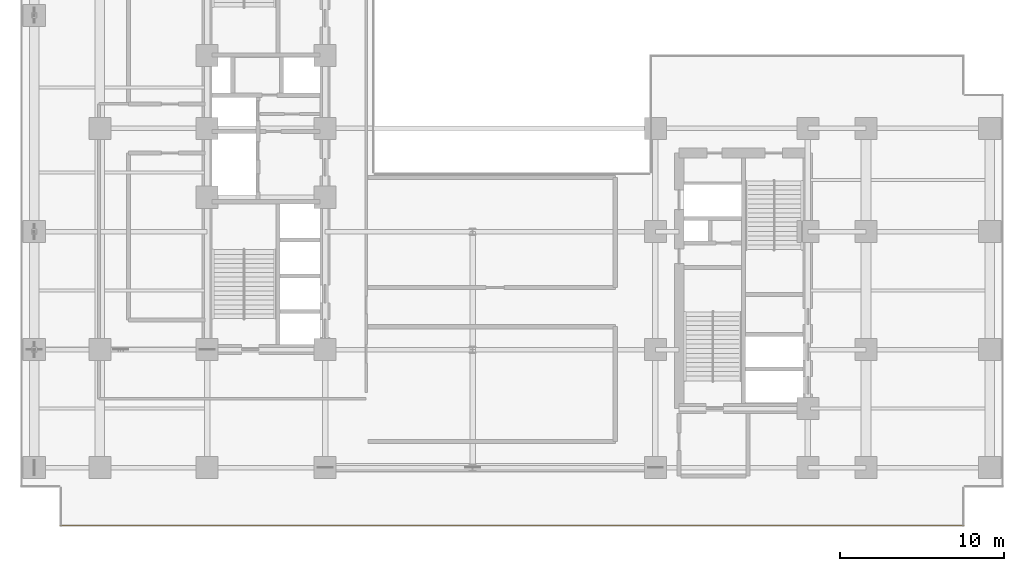
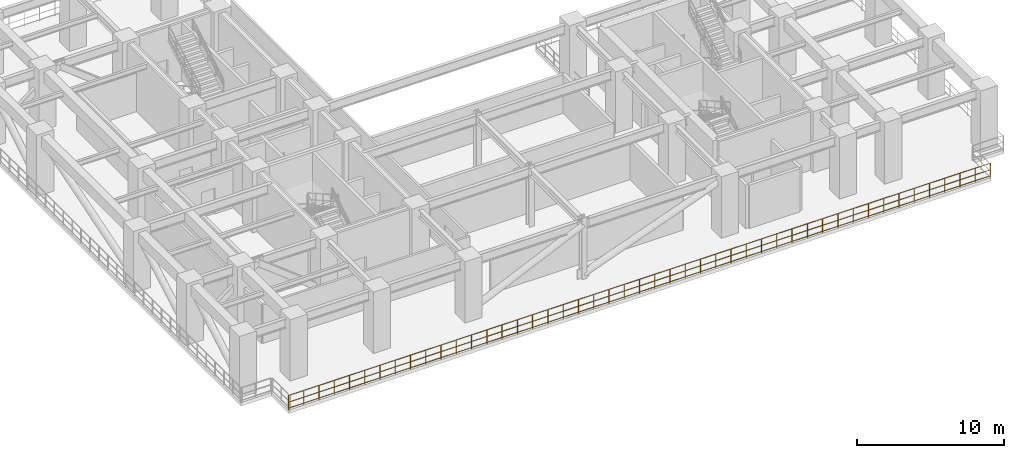
# One storey, part 9 of 15: 1 railing.
"""IFC4 building model written with IfcOpenShell, lengths in metres."""

from ifc_helpers import new_model, entity, si_unit, converted_unit, direction, frame, origin_with_axes, origin_2d_with_axis, place, context, subcontext, project, spatial, rectangle, circle, extrude, material, type_object, element, save


model = new_model("IFC4")

# Units and contexts
model_context = context("Model", 3, precision=1e-05, world=origin_with_axes(), true_north=direction((0.0, 1.0)))
body_context = subcontext(model_context, "Body", "Model", "MODEL_VIEW")
ifc_project = project(units=[si_unit("LENGTHUNIT", "METRE"), si_unit("AREAUNIT", "SQUARE_METRE"), si_unit("VOLUMEUNIT", "CUBIC_METRE"), converted_unit("PLANEANGLEUNIT", "DEGREE", entity("IfcPlaneAngleMeasure", 0.017453292519943295), si_unit("PLANEANGLEUNIT", "RADIAN"), dimensions=[0, 0, 0, 0, 0, 0, 0]), si_unit("MASSUNIT", "GRAM", prefix="KILO"), si_unit("THERMODYNAMICTEMPERATUREUNIT", "KELVIN")], contexts=[model_context])

# Site, building, storey
site_placement = place(None, origin_with_axes())
site = spatial("IfcSite", under=ifc_project, at=site_placement, CompositionType="ELEMENT")
building_placement = place(site_placement, origin_with_axes())
building = spatial("IfcBuilding", under=site, at=building_placement, Name="Varnlund Millrace Tower", CompositionType="ELEMENT")
storey_placement = place(building_placement, frame((0.0, 0.0, 79.5), z_axis=(0.0, 0.0, 1.0), x_axis=(1.0, 0.0, 0.0)))
storey = spatial("IfcBuildingStorey", under=building, at=storey_placement, Name="L19", CompositionType="ELEMENT", Elevation=79.5)

# Railing
ifc_material = material(Name="Architectural bronze balustrade guard", Category="aluminium")
railing_type = type_object("IfcRailingType", Name="Type-Guard-Perimeter-1150", PredefinedType="BALUSTRADE", material=ifc_material)
railing_placement = place(storey_placement, frame((0.0, 0.0, -79.5), z_axis=(0.0, 0.0, 1.0), x_axis=(1.0, 0.0, 0.0)))
element("IfcRailing", 1, at=railing_placement, inside=storey, type_object=railing_type, Name="Type-Guard-Perimeter-1150", PredefinedType="BALUSTRADE", context=body_context, shape_type="SweptSolid", body=[
    extrude(circle(Radius=0.024, at=origin_2d_with_axis()), frame((2.4, 0.08, 80.65), z_axis=(1.0, 0.0, 0.0), x_axis=(0.0, 1.0, 0.0)), (0.0, 0.0, 1.0), 55.2),
    extrude(circle(Radius=0.024, at=origin_2d_with_axis()), frame((2.4, 0.08, 79.6), z_axis=(1.0, 0.0, 0.0), x_axis=(0.0, 1.0, 0.0)), (0.0, 0.0, 1.0), 55.2),
    extrude(circle(Radius=0.024, at=origin_2d_with_axis()), frame((2.4, 0.08, 80.098), z_axis=(1.0, 0.0, 0.0), x_axis=(0.0, 1.0, 0.0)), (0.0, 0.0, 1.0), 55.2),
    extrude(rectangle(XDim=0.04, YDim=0.04, at=origin_2d_with_axis()), frame((2.4, 0.08, 79.46), z_axis=(0.0, 0.0, 1.0), x_axis=(1.0, 0.0, 0.0)), (0.0, 0.0, 1.0), 1.19),
    extrude(rectangle(XDim=0.04, YDim=0.04, at=origin_2d_with_axis()), frame((3.6, 0.08, 79.46), z_axis=(0.0, 0.0, 1.0), x_axis=(1.0, 0.0, 0.0)), (0.0, 0.0, 1.0), 1.19),
    extrude(rectangle(XDim=0.04, YDim=0.04, at=origin_2d_with_axis()), frame((4.8, 0.08, 79.46), z_axis=(0.0, 0.0, 1.0), x_axis=(1.0, 0.0, 0.0)), (0.0, 0.0, 1.0), 1.19),
    extrude(rectangle(XDim=0.04, YDim=0.04, at=origin_2d_with_axis()), frame((6.0, 0.08, 79.46), z_axis=(0.0, 0.0, 1.0), x_axis=(1.0, 0.0, 0.0)), (0.0, 0.0, 1.0), 1.19),
    extrude(rectangle(XDim=0.04, YDim=0.04, at=origin_2d_with_axis()), frame((7.2, 0.08, 79.46), z_axis=(0.0, 0.0, 1.0), x_axis=(1.0, 0.0, 0.0)), (0.0, 0.0, 1.0), 1.19),
    extrude(rectangle(XDim=0.04, YDim=0.04, at=origin_2d_with_axis()), frame((8.4, 0.08, 79.46), z_axis=(0.0, 0.0, 1.0), x_axis=(1.0, 0.0, 0.0)), (0.0, 0.0, 1.0), 1.19),
    extrude(rectangle(XDim=0.04, YDim=0.04, at=origin_2d_with_axis()), frame((9.6, 0.08, 79.46), z_axis=(0.0, 0.0, 1.0), x_axis=(1.0, 0.0, 0.0)), (0.0, 0.0, 1.0), 1.19),
    extrude(rectangle(XDim=0.04, YDim=0.04, at=origin_2d_with_axis()), frame((10.8, 0.08, 79.46), z_axis=(0.0, 0.0, 1.0), x_axis=(1.0, 0.0, 0.0)), (0.0, 0.0, 1.0), 1.19),
    extrude(rectangle(XDim=0.04, YDim=0.04, at=origin_2d_with_axis()), frame((12.0, 0.08, 79.46), z_axis=(0.0, 0.0, 1.0), x_axis=(1.0, 0.0, 0.0)), (0.0, 0.0, 1.0), 1.19),
    extrude(rectangle(XDim=0.04, YDim=0.04, at=origin_2d_with_axis()), frame((13.2, 0.08, 79.46), z_axis=(0.0, 0.0, 1.0), x_axis=(1.0, 0.0, 0.0)), (0.0, 0.0, 1.0), 1.19),
    extrude(rectangle(XDim=0.04, YDim=0.04, at=origin_2d_with_axis()), frame((14.4, 0.08, 79.46), z_axis=(0.0, 0.0, 1.0), x_axis=(1.0, 0.0, 0.0)), (0.0, 0.0, 1.0), 1.19),
    extrude(rectangle(XDim=0.04, YDim=0.04, at=origin_2d_with_axis()), frame((15.6, 0.08, 79.46), z_axis=(0.0, 0.0, 1.0), x_axis=(1.0, 0.0, 0.0)), (0.0, 0.0, 1.0), 1.19),
    extrude(rectangle(XDim=0.04, YDim=0.04, at=origin_2d_with_axis()), frame((16.8, 0.08, 79.46), z_axis=(0.0, 0.0, 1.0), x_axis=(1.0, 0.0, 0.0)), (0.0, 0.0, 1.0), 1.19),
    extrude(rectangle(XDim=0.04, YDim=0.04, at=origin_2d_with_axis()), frame((18.0, 0.08, 79.46), z_axis=(0.0, 0.0, 1.0), x_axis=(1.0, 0.0, 0.0)), (0.0, 0.0, 1.0), 1.19),
    extrude(rectangle(XDim=0.04, YDim=0.04, at=origin_2d_with_axis()), frame((19.2, 0.08, 79.46), z_axis=(0.0, 0.0, 1.0), x_axis=(1.0, 0.0, 0.0)), (0.0, 0.0, 1.0), 1.19),
    extrude(rectangle(XDim=0.04, YDim=0.04, at=origin_2d_with_axis()), frame((20.4, 0.08, 79.46), z_axis=(0.0, 0.0, 1.0), x_axis=(1.0, 0.0, 0.0)), (0.0, 0.0, 1.0), 1.19),
    extrude(rectangle(XDim=0.04, YDim=0.04, at=origin_2d_with_axis()), frame((21.6, 0.08, 79.46), z_axis=(0.0, 0.0, 1.0), x_axis=(1.0, 0.0, 0.0)), (0.0, 0.0, 1.0), 1.19),
    extrude(rectangle(XDim=0.04, YDim=0.04, at=origin_2d_with_axis()), frame((22.8, 0.08, 79.46), z_axis=(0.0, 0.0, 1.0), x_axis=(1.0, 0.0, 0.0)), (0.0, 0.0, 1.0), 1.19),
    extrude(rectangle(XDim=0.04, YDim=0.04, at=origin_2d_with_axis()), frame((24.0, 0.08, 79.46), z_axis=(0.0, 0.0, 1.0), x_axis=(1.0, 0.0, 0.0)), (0.0, 0.0, 1.0), 1.19),
    extrude(rectangle(XDim=0.04, YDim=0.04, at=origin_2d_with_axis()), frame((25.2, 0.08, 79.46), z_axis=(0.0, 0.0, 1.0), x_axis=(1.0, 0.0, 0.0)), (0.0, 0.0, 1.0), 1.19),
    extrude(rectangle(XDim=0.04, YDim=0.04, at=origin_2d_with_axis()), frame((26.4, 0.08, 79.46), z_axis=(0.0, 0.0, 1.0), x_axis=(1.0, 0.0, 0.0)), (0.0, 0.0, 1.0), 1.19),
    extrude(rectangle(XDim=0.04, YDim=0.04, at=origin_2d_with_axis()), frame((27.6, 0.08, 79.46), z_axis=(0.0, 0.0, 1.0), x_axis=(1.0, 0.0, 0.0)), (0.0, 0.0, 1.0), 1.19),
    extrude(rectangle(XDim=0.04, YDim=0.04, at=origin_2d_with_axis()), frame((28.8, 0.08, 79.46), z_axis=(0.0, 0.0, 1.0), x_axis=(1.0, 0.0, 0.0)), (0.0, 0.0, 1.0), 1.19),
    extrude(rectangle(XDim=0.04, YDim=0.04, at=origin_2d_with_axis()), frame((30.0, 0.08, 79.46), z_axis=(0.0, 0.0, 1.0), x_axis=(1.0, 0.0, 0.0)), (0.0, 0.0, 1.0), 1.19),
    extrude(rectangle(XDim=0.04, YDim=0.04, at=origin_2d_with_axis()), frame((31.2, 0.08, 79.46), z_axis=(0.0, 0.0, 1.0), x_axis=(1.0, 0.0, 0.0)), (0.0, 0.0, 1.0), 1.19),
    extrude(rectangle(XDim=0.04, YDim=0.04, at=origin_2d_with_axis()), frame((32.4, 0.08, 79.46), z_axis=(0.0, 0.0, 1.0), x_axis=(1.0, 0.0, 0.0)), (0.0, 0.0, 1.0), 1.19),
    extrude(rectangle(XDim=0.04, YDim=0.04, at=origin_2d_with_axis()), frame((33.6, 0.08, 79.46), z_axis=(0.0, 0.0, 1.0), x_axis=(1.0, 0.0, 0.0)), (0.0, 0.0, 1.0), 1.19),
    extrude(rectangle(XDim=0.04, YDim=0.04, at=origin_2d_with_axis()), frame((34.8, 0.08, 79.46), z_axis=(0.0, 0.0, 1.0), x_axis=(1.0, 0.0, 0.0)), (0.0, 0.0, 1.0), 1.19),
    extrude(rectangle(XDim=0.04, YDim=0.04, at=origin_2d_with_axis()), frame((36.0, 0.08, 79.46), z_axis=(0.0, 0.0, 1.0), x_axis=(1.0, 0.0, 0.0)), (0.0, 0.0, 1.0), 1.19),
    extrude(rectangle(XDim=0.04, YDim=0.04, at=origin_2d_with_axis()), frame((37.2, 0.08, 79.46), z_axis=(0.0, 0.0, 1.0), x_axis=(1.0, 0.0, 0.0)), (0.0, 0.0, 1.0), 1.19),
    extrude(rectangle(XDim=0.04, YDim=0.04, at=origin_2d_with_axis()), frame((38.4, 0.08, 79.46), z_axis=(0.0, 0.0, 1.0), x_axis=(1.0, 0.0, 0.0)), (0.0, 0.0, 1.0), 1.19),
    extrude(rectangle(XDim=0.04, YDim=0.04, at=origin_2d_with_axis()), frame((39.6, 0.08, 79.46), z_axis=(0.0, 0.0, 1.0), x_axis=(1.0, 0.0, 0.0)), (0.0, 0.0, 1.0), 1.19),
    extrude(rectangle(XDim=0.04, YDim=0.04, at=origin_2d_with_axis()), frame((40.8, 0.08, 79.46), z_axis=(0.0, 0.0, 1.0), x_axis=(1.0, 0.0, 0.0)), (0.0, 0.0, 1.0), 1.19),
    extrude(rectangle(XDim=0.04, YDim=0.04, at=origin_2d_with_axis()), frame((42.0, 0.08, 79.46), z_axis=(0.0, 0.0, 1.0), x_axis=(1.0, 0.0, 0.0)), (0.0, 0.0, 1.0), 1.19),
    extrude(rectangle(XDim=0.04, YDim=0.04, at=origin_2d_with_axis()), frame((43.2, 0.08, 79.46), z_axis=(0.0, 0.0, 1.0), x_axis=(1.0, 0.0, 0.0)), (0.0, 0.0, 1.0), 1.19),
    extrude(rectangle(XDim=0.04, YDim=0.04, at=origin_2d_with_axis()), frame((44.4, 0.08, 79.46), z_axis=(0.0, 0.0, 1.0), x_axis=(1.0, 0.0, 0.0)), (0.0, 0.0, 1.0), 1.19),
    extrude(rectangle(XDim=0.04, YDim=0.04, at=origin_2d_with_axis()), frame((45.6, 0.08, 79.46), z_axis=(0.0, 0.0, 1.0), x_axis=(1.0, 0.0, 0.0)), (0.0, 0.0, 1.0), 1.19),
    extrude(rectangle(XDim=0.04, YDim=0.04, at=origin_2d_with_axis()), frame((46.8, 0.08, 79.46), z_axis=(0.0, 0.0, 1.0), x_axis=(1.0, 0.0, 0.0)), (0.0, 0.0, 1.0), 1.19),
    extrude(rectangle(XDim=0.04, YDim=0.04, at=origin_2d_with_axis()), frame((48.0, 0.08, 79.46), z_axis=(0.0, 0.0, 1.0), x_axis=(1.0, 0.0, 0.0)), (0.0, 0.0, 1.0), 1.19),
    extrude(rectangle(XDim=0.04, YDim=0.04, at=origin_2d_with_axis()), frame((49.2, 0.08, 79.46), z_axis=(0.0, 0.0, 1.0), x_axis=(1.0, 0.0, 0.0)), (0.0, 0.0, 1.0), 1.19),
    extrude(rectangle(XDim=0.04, YDim=0.04, at=origin_2d_with_axis()), frame((50.4, 0.08, 79.46), z_axis=(0.0, 0.0, 1.0), x_axis=(1.0, 0.0, 0.0)), (0.0, 0.0, 1.0), 1.19),
    extrude(rectangle(XDim=0.04, YDim=0.04, at=origin_2d_with_axis()), frame((51.6, 0.08, 79.46), z_axis=(0.0, 0.0, 1.0), x_axis=(1.0, 0.0, 0.0)), (0.0, 0.0, 1.0), 1.19),
    extrude(rectangle(XDim=0.04, YDim=0.04, at=origin_2d_with_axis()), frame((52.8, 0.08, 79.46), z_axis=(0.0, 0.0, 1.0), x_axis=(1.0, 0.0, 0.0)), (0.0, 0.0, 1.0), 1.19),
    extrude(rectangle(XDim=0.04, YDim=0.04, at=origin_2d_with_axis()), frame((54.0, 0.08, 79.46), z_axis=(0.0, 0.0, 1.0), x_axis=(1.0, 0.0, 0.0)), (0.0, 0.0, 1.0), 1.19),
    extrude(rectangle(XDim=0.04, YDim=0.04, at=origin_2d_with_axis()), frame((55.2, 0.08, 79.46), z_axis=(0.0, 0.0, 1.0), x_axis=(1.0, 0.0, 0.0)), (0.0, 0.0, 1.0), 1.19),
    extrude(rectangle(XDim=0.04, YDim=0.04, at=origin_2d_with_axis()), frame((56.4, 0.08, 79.46), z_axis=(0.0, 0.0, 1.0), x_axis=(1.0, 0.0, 0.0)), (0.0, 0.0, 1.0), 1.19),
    extrude(rectangle(XDim=0.04, YDim=0.04, at=origin_2d_with_axis()), frame((57.6, 0.08, 79.46), z_axis=(0.0, 0.0, 1.0), x_axis=(1.0, 0.0, 0.0)), (0.0, 0.0, 1.0), 1.19),
])

save(model, "model.ifc")
